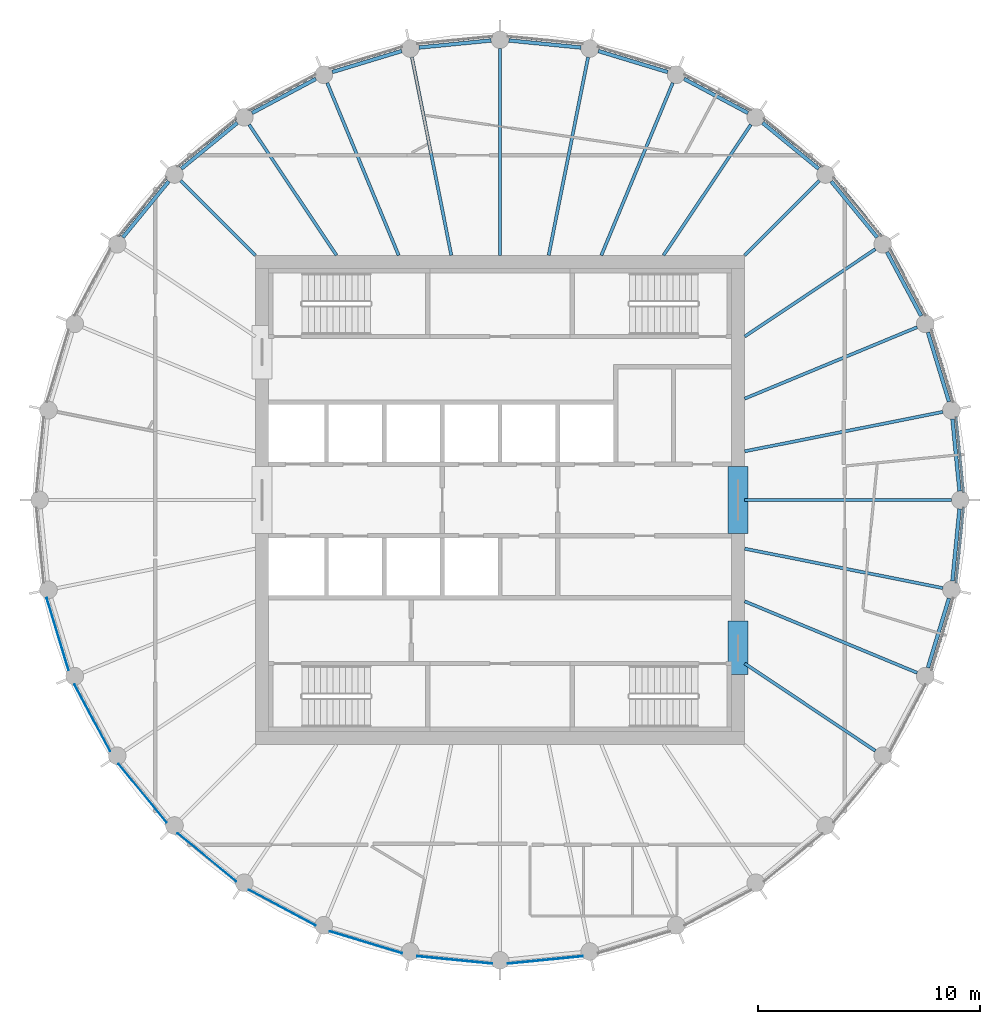
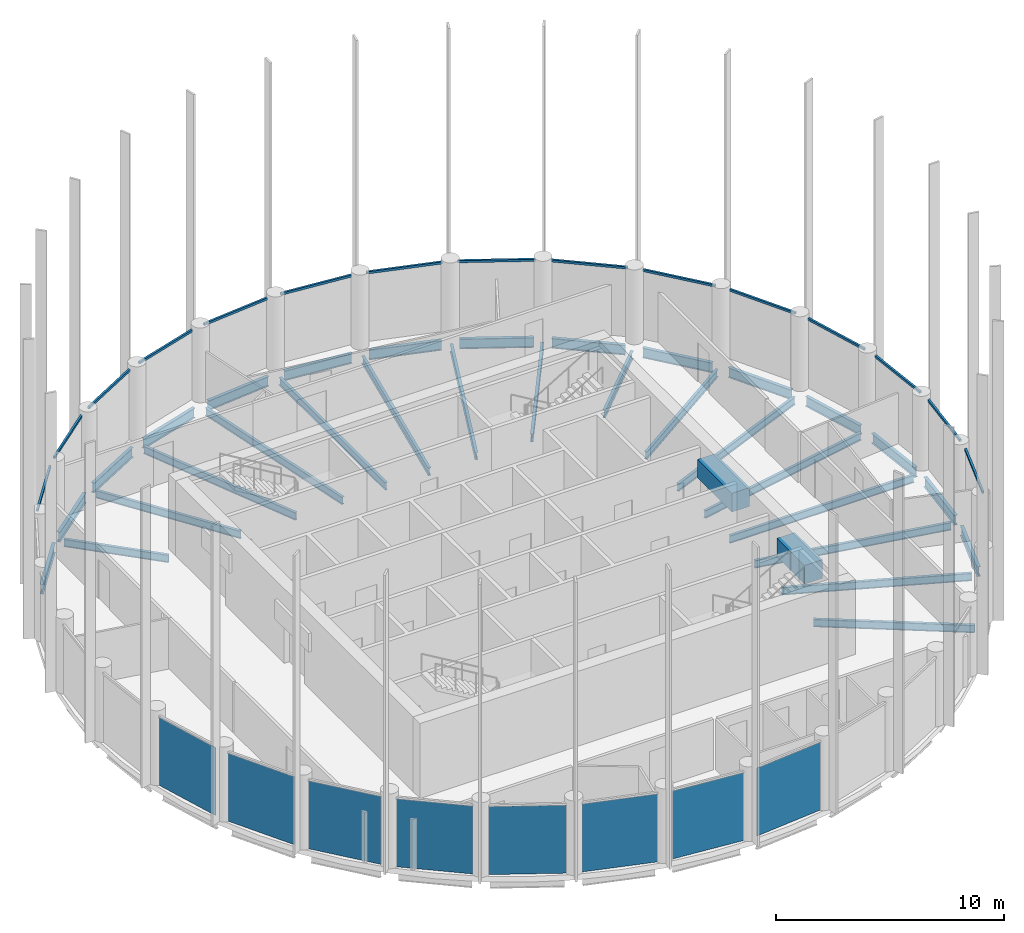
# One storey, part 2 of 7: 33 beams, 15 members, 8 plates, 23 elements without a shape of their own.
"""IFC4 building model written with IfcOpenShell, lengths in metres."""

from ifc_helpers import new_model, si_unit, direction, frame, origin, origin_2d, place, context, subcontext, project, spatial, rectangle, i_section, extrude, material, layer, layer_set, material_profile, profile_set, type_object, element, aggregate, save


model = new_model("IFC4")

# Units and contexts
model_context = context("Model", 3, precision=1e-05, world=origin(), true_north=direction((0.0, 1.0)))
body_context = subcontext(model_context, "Body", "Model", "MODEL_VIEW")
ifc_project = project(units=[si_unit("LENGTHUNIT", "METRE"), si_unit("AREAUNIT", "SQUARE_METRE"), si_unit("VOLUMEUNIT", "CUBIC_METRE"), si_unit("PLANEANGLEUNIT", "RADIAN"), si_unit("MASSUNIT", "GRAM", prefix="KILO")], contexts=[model_context])

# Site, building, storey
site_placement = place(None, origin())
site = spatial("IfcSite", under=ifc_project, at=site_placement, CompositionType="ELEMENT")
building_placement = place(site_placement, origin())
building = spatial("IfcBuilding", under=site, at=building_placement, Name="Corvane Civic Tower", CompositionType="ELEMENT")
storey_placement = place(building_placement, frame((0.0, 0.0, 340.5)))
storey = spatial("IfcBuildingStorey", under=building, at=storey_placement, Name="L81", CompositionType="ELEMENT", Elevation=340.5)

# Beams
ifc_material_1 = material(Name="Concrete C40/50", Category="concrete")
ifc_material_profile_1 = material_profile(ifc_material_1, rectangle(XDim=0.89990234375, YDim=1.0, at=origin_2d()), Name="COUPLING BEAM 900X1000")
ifc_profile_set_1 = profile_set([ifc_material_profile_1], Name="Concrete C40/50")
beam_type_1 = type_object("IfcBeamType", Name="COUPLING BEAM COUPLING BEAM 900X1000", PredefinedType="BEAM", material=ifc_profile_set_1)
beam_1_placement = place(storey_placement, frame((10.699951171875, -1.5, 2.60009765625), z_axis=(0.0, 1.0, 0.0), x_axis=(-1.0, 0.0, 0.0)))
element("IfcBeam", 1, at=beam_1_placement, inside=storey, type_object=beam_type_1, Name="BM-L81-cpl-CW-LE", PredefinedType="BEAM", context=body_context, shape_type="SweptSolid", body=[
    extrude(rectangle(XDim=0.89990234375, YDim=1.0, at=origin_2d()), origin(), (0.0, 0.0, 1.0), 3.0),
])
beam_2_placement = place(storey_placement, frame((10.699951171875, -7.85009765625, 2.60009765625), z_axis=(0.0, 1.0, 0.0), x_axis=(-1.0, 0.0, 0.0)))
element("IfcBeam", 2, at=beam_2_placement, inside=storey, type_object=beam_type_1, Name="BM-L81-cpl-CW-ES", PredefinedType="BEAM", context=body_context, shape_type="SweptSolid", body=[
    extrude(rectangle(XDim=0.89990234375, YDim=1.0, at=origin_2d()), origin(), (0.0, 0.0, 1.0), 2.400146484375),
])
ifc_material_2 = material(Name="Steel ASTM A992 Gr 50", Category="steel")
ifc_material_profile_2 = material_profile(ifc_material_2, i_section(OverallWidth=0.165771484375, OverallDepth=0.5283203125, WebThickness=0.009765625, FlangeThickness=0.013671875, at=origin_2d()), Name="W21X50")
ifc_profile_set_2 = profile_set([ifc_material_profile_2], Name="Steel ASTM A992 Gr 50")
beam_type_2 = type_object("IfcBeamType", Name="EDGE BEAM W21X50", PredefinedType="BEAM", material=ifc_profile_set_2)
beam_3_placement = place(storey_placement, frame((0.39794921875, 20.66064453125, -0.564208984375), z_axis=(0.995192503142, -0.097938152369, 0.0), x_axis=(0.097938152369, 0.995192503142, 0.0)))
element("IfcBeam", 3, at=beam_3_placement, inside=storey, type_object=beam_type_2, Name="BM-L81-E01", PredefinedType="BEAM", context=body_context, shape_type="SweptSolid", body=[
    extrude(i_section(OverallWidth=0.165771484375, OverallDepth=0.5283203125, WebThickness=0.009765625, FlangeThickness=0.013671875, at=origin_2d()), origin(), (0.0, 0.0, 1.0), 3.258056640625),
])
for number, where, z_axis, x_axis, name in (
    (4, (4.421142578125, 20.18603515625, -0.564208984375), (0.956955679349, -0.290234091317, 0.0), (0.290234091317, 0.956955679349, 0.0), "BM-L81-E02"),
    (5, (8.2744140625, 18.935791015625, -0.564208984375), (0.881894065907, -0.471447618, 0.0), (0.471447618, 0.881894065907, 0.0), "BM-L81-E03"),
    (6, (11.8095703125, 16.957763671875, -0.564208984375), (0.772984791903, -0.634424551454, 0.0), (0.634424551454, 0.772984791903, 0.0), "BM-L81-E04"),
    (7, (14.890869140625, 14.327880859375, -0.564208984375), (0.634424551454, -0.772984791903, 0.0), (0.772984791903, 0.634424551454, 0.0), "BM-L81-E05"),
    (8, (17.39990234375, 11.1474609375, -0.564208984375), (0.471447618, -0.881894065907, 0.0), (0.881894065907, 0.471447618, 0.0), "BM-L81-E06"),
    (9, (19.240478515625, 7.538818359375, -0.564208984375), (0.290234091317, -0.956955679349, 0.0), (0.956955679349, 0.290234091317, 0.0), "BM-L81-E07"),
):
    element("IfcBeam", number, at=place(storey_placement, frame(where, z_axis=z_axis, x_axis=x_axis)), inside=storey, type_object=beam_type_2, Name=name, PredefinedType="BEAM", context=body_context, shape_type="SweptSolid", body=[
        extrude(i_section(OverallWidth=0.165771484375, OverallDepth=0.5283203125, WebThickness=0.009765625, FlangeThickness=0.013671875, at=origin_2d()), origin(), (0.0, 0.0, 1.0), 3.2578125),
    ])
for number, where, z_axis, x_axis, name in (
    (10, (20.341552734375, 3.640380859375, -0.564208984375), (0.097938152369, -0.995192503142, 0.0), (0.995192503142, 0.097938152369, 0.0), "BM-L81-E08"),
    (11, (20.66064453125, -0.39794921875, -0.564208984375), (-0.097938152369, -0.995192503142, 0.0), (0.995192503142, -0.097938152369, 0.0), "BM-L81-E09"),
):
    element("IfcBeam", number, at=place(storey_placement, frame(where, z_axis=z_axis, x_axis=x_axis)), inside=storey, type_object=beam_type_2, Name=name, PredefinedType="BEAM", context=body_context, shape_type="SweptSolid", body=[
        extrude(i_section(OverallWidth=0.165771484375, OverallDepth=0.5283203125, WebThickness=0.009765625, FlangeThickness=0.013671875, at=origin_2d()), origin(), (0.0, 0.0, 1.0), 3.258056640625),
    ])
for number, where, z_axis, x_axis, name in (
    (12, (20.18603515625, -4.421142578125, -0.564208984375), (-0.290234091317, -0.956955679349, 0.0), (0.956955679349, -0.290234091317, 0.0), "BM-L81-E10"),
    (13, (-16.957763671875, 11.8095703125, -0.564208984375), (0.634424551454, 0.772984791903, 0.0), (-0.772984791903, 0.634424551454, 0.0), "BM-L81-E28"),
    (14, (-14.327880859375, 14.890869140625, -0.564208984375), (0.772984791903, 0.634424551454, 0.0), (-0.634424551454, 0.772984791903, 0.0), "BM-L81-E29"),
    (15, (-11.1474609375, 17.39990234375, -0.564208984375), (0.881894065907, 0.471447618, 0.0), (-0.471447618, 0.881894065907, 0.0), "BM-L81-E30"),
    (16, (-7.538818359375, 19.240478515625, -0.564208984375), (0.956955679349, 0.290234091317, 0.0), (-0.290234091317, 0.956955679349, 0.0), "BM-L81-E31"),
):
    element("IfcBeam", number, at=place(storey_placement, frame(where, z_axis=z_axis, x_axis=x_axis)), inside=storey, type_object=beam_type_2, Name=name, PredefinedType="BEAM", context=body_context, shape_type="SweptSolid", body=[
        extrude(i_section(OverallWidth=0.165771484375, OverallDepth=0.5283203125, WebThickness=0.009765625, FlangeThickness=0.013671875, at=origin_2d()), origin(), (0.0, 0.0, 1.0), 3.2578125),
    ])
beam_4_placement = place(storey_placement, frame((-3.640380859375, 20.341552734375, -0.564208984375), z_axis=(0.995192503142, 0.097938152369, 0.0), x_axis=(-0.097938152369, 0.995192503142, 0.0)))
element("IfcBeam", 17, at=beam_4_placement, inside=storey, type_object=beam_type_2, Name="BM-L81-E32", PredefinedType="BEAM", context=body_context, shape_type="SweptSolid", body=[
    extrude(i_section(OverallWidth=0.165771484375, OverallDepth=0.5283203125, WebThickness=0.009765625, FlangeThickness=0.013671875, at=origin_2d()), origin(), (0.0, 0.0, 1.0), 3.258056640625),
])
ifc_material_3 = material(Name="Steel ASTM A992 Gr 50", Category="steel")
ifc_material_profile_3 = material_profile(ifc_material_3, i_section(OverallWidth=0.140380859375, OverallDepth=0.40380859375, WebThickness=0.007080078125, FlangeThickness=0.01123046875, at=origin_2d()), Name="W16X31")
ifc_profile_set_3 = profile_set([ifc_material_profile_3], Name="Steel ASTM A992 Gr 50")
beam_type_3 = type_object("IfcBeamType", Name="FLOOR GIRDER W16X31", PredefinedType="BEAM", material=ifc_profile_set_3)
beam_5_placement = place(storey_placement, frame((0.0, 11.0, -0.501953125), z_axis=(0.0, 1.0, 0.0), x_axis=(-1.0, 0.0, 0.0)))
element("IfcBeam", 18, at=beam_5_placement, inside=storey, type_object=beam_type_3, Name="BM-L81-G01", PredefinedType="BEAM", context=body_context, shape_type="SweptSolid", body=[
    extrude(i_section(OverallWidth=0.140380859375, OverallDepth=0.40380859375, WebThickness=0.007080078125, FlangeThickness=0.01123046875, at=origin_2d()), origin(), (0.0, 0.0, 1.0), 9.300048828125),
])
beam_6_placement = place(storey_placement, frame((2.18798828125, 11.0, -0.501953125), z_axis=(0.195108241061, 0.980781715913, 0.0), x_axis=(-0.980781715913, 0.195108241061, 0.0)))
element("IfcBeam", 19, at=beam_6_placement, inside=storey, type_object=beam_type_3, Name="BM-L81-G02", PredefinedType="BEAM", context=body_context, shape_type="SweptSolid", body=[
    extrude(i_section(OverallWidth=0.140380859375, OverallDepth=0.40380859375, WebThickness=0.007080078125, FlangeThickness=0.01123046875, at=origin_2d()), origin(), (0.0, 0.0, 1.0), 9.08447265625),
])
beam_7_placement = place(storey_placement, frame((4.556396484375, 11.0, -0.501953125), z_axis=(0.382691739894, 0.923876091377, 0.0), x_axis=(-0.923876091377, 0.382691739894, 0.0)))
element("IfcBeam", 20, at=beam_7_placement, inside=storey, type_object=beam_type_3, Name="BM-L81-G03", PredefinedType="BEAM", context=body_context, shape_type="SweptSolid", body=[
    extrude(i_section(OverallWidth=0.140380859375, OverallDepth=0.40380859375, WebThickness=0.007080078125, FlangeThickness=0.01123046875, at=origin_2d()), origin(), (0.0, 0.0, 1.0), 8.3935546875),
])
beam_8_placement = place(storey_placement, frame((7.349853515625, 11.0, -0.501953125), z_axis=(0.555576401385, 0.831465490699, 0.0), x_axis=(-0.831465490699, 0.555576401385, 0.0)))
element("IfcBeam", 21, at=beam_8_placement, inside=storey, type_object=beam_type_3, Name="BM-L81-G04", PredefinedType="BEAM", context=body_context, shape_type="SweptSolid", body=[
    extrude(i_section(OverallWidth=0.140380859375, OverallDepth=0.40380859375, WebThickness=0.007080078125, FlangeThickness=0.01123046875, at=origin_2d()), origin(), (0.0, 0.0, 1.0), 7.070556640625),
])
beam_9_placement = place(storey_placement, frame((11.0, 11.0, -0.501953125), z_axis=(0.707106781187, 0.707106781187, 0.0), x_axis=(-0.707106781187, 0.707106781187, 0.0)))
element("IfcBeam", 22, at=beam_9_placement, inside=storey, type_object=beam_type_3, Name="BM-L81-G05", PredefinedType="BEAM", context=body_context, shape_type="SweptSolid", body=[
    extrude(i_section(OverallWidth=0.140380859375, OverallDepth=0.40380859375, WebThickness=0.007080078125, FlangeThickness=0.01123046875, at=origin_2d()), origin(), (0.0, 0.0, 1.0), 4.74365234375),
])
beam_10_placement = place(storey_placement, frame((11.0, 7.349853515625, -0.501953125), z_axis=(0.831465490699, 0.555576401385, 0.0), x_axis=(-0.555576401385, 0.831465490699, 0.0)))
element("IfcBeam", 23, at=beam_10_placement, inside=storey, type_object=beam_type_3, Name="BM-L81-G06", PredefinedType="BEAM", context=body_context, shape_type="SweptSolid", body=[
    extrude(i_section(OverallWidth=0.140380859375, OverallDepth=0.40380859375, WebThickness=0.007080078125, FlangeThickness=0.01123046875, at=origin_2d()), origin(), (0.0, 0.0, 1.0), 7.070556640625),
])
beam_11_placement = place(storey_placement, frame((11.0, 4.556396484375, -0.501953125), z_axis=(0.923876091377, 0.382691739894, 0.0), x_axis=(-0.382691739894, 0.923876091377, 0.0)))
element("IfcBeam", 24, at=beam_11_placement, inside=storey, type_object=beam_type_3, Name="BM-L81-G07", PredefinedType="BEAM", context=body_context, shape_type="SweptSolid", body=[
    extrude(i_section(OverallWidth=0.140380859375, OverallDepth=0.40380859375, WebThickness=0.007080078125, FlangeThickness=0.01123046875, at=origin_2d()), origin(), (0.0, 0.0, 1.0), 8.3935546875),
])
beam_12_placement = place(storey_placement, frame((11.0, 2.18798828125, -0.501953125), z_axis=(0.980781715913, 0.195108241061, 0.0), x_axis=(-0.195108241061, 0.980781715913, 0.0)))
element("IfcBeam", 25, at=beam_12_placement, inside=storey, type_object=beam_type_3, Name="BM-L81-G08", PredefinedType="BEAM", context=body_context, shape_type="SweptSolid", body=[
    extrude(i_section(OverallWidth=0.140380859375, OverallDepth=0.40380859375, WebThickness=0.007080078125, FlangeThickness=0.01123046875, at=origin_2d()), origin(), (0.0, 0.0, 1.0), 9.08447265625),
])
beam_13_placement = place(storey_placement, frame((11.0, 0.0, -0.501953125), z_axis=(1.0, 0.0, 0.0), x_axis=(0.0, 1.0, 0.0)))
element("IfcBeam", 26, at=beam_13_placement, inside=storey, type_object=beam_type_3, Name="BM-L81-G09", PredefinedType="BEAM", context=body_context, shape_type="SweptSolid", body=[
    extrude(i_section(OverallWidth=0.140380859375, OverallDepth=0.40380859375, WebThickness=0.007080078125, FlangeThickness=0.01123046875, at=origin_2d()), origin(), (0.0, 0.0, 1.0), 9.300048828125),
])
beam_14_placement = place(storey_placement, frame((11.0, -2.18798828125, -0.501953125), z_axis=(0.980781715913, -0.195108241061, 0.0), x_axis=(0.195108241061, 0.980781715913, 0.0)))
element("IfcBeam", 27, at=beam_14_placement, inside=storey, type_object=beam_type_3, Name="BM-L81-G10", PredefinedType="BEAM", context=body_context, shape_type="SweptSolid", body=[
    extrude(i_section(OverallWidth=0.140380859375, OverallDepth=0.40380859375, WebThickness=0.007080078125, FlangeThickness=0.01123046875, at=origin_2d()), origin(), (0.0, 0.0, 1.0), 9.08447265625),
])
beam_15_placement = place(storey_placement, frame((11.0, -4.556396484375, -0.501953125), z_axis=(0.923876091377, -0.382691739894, 0.0), x_axis=(0.382691739894, 0.923876091377, 0.0)))
element("IfcBeam", 28, at=beam_15_placement, inside=storey, type_object=beam_type_3, Name="BM-L81-G11", PredefinedType="BEAM", context=body_context, shape_type="SweptSolid", body=[
    extrude(i_section(OverallWidth=0.140380859375, OverallDepth=0.40380859375, WebThickness=0.007080078125, FlangeThickness=0.01123046875, at=origin_2d()), origin(), (0.0, 0.0, 1.0), 8.3935546875),
])
beam_16_placement = place(storey_placement, frame((11.0, -7.349853515625, -0.501953125), z_axis=(0.831465490699, -0.555576401385, 0.0), x_axis=(0.555576401385, 0.831465490699, 0.0)))
element("IfcBeam", 29, at=beam_16_placement, inside=storey, type_object=beam_type_3, Name="BM-L81-G12", PredefinedType="BEAM", context=body_context, shape_type="SweptSolid", body=[
    extrude(i_section(OverallWidth=0.140380859375, OverallDepth=0.40380859375, WebThickness=0.007080078125, FlangeThickness=0.01123046875, at=origin_2d()), origin(), (0.0, 0.0, 1.0), 7.070556640625),
])
beam_17_placement = place(storey_placement, frame((-11.0, 11.0, -0.501953125), z_axis=(-0.707106781187, 0.707106781187, 0.0), x_axis=(-0.707106781187, -0.707106781187, 0.0)))
element("IfcBeam", 30, at=beam_17_placement, inside=storey, type_object=beam_type_3, Name="BM-L81-G29", PredefinedType="BEAM", context=body_context, shape_type="SweptSolid", body=[
    extrude(i_section(OverallWidth=0.140380859375, OverallDepth=0.40380859375, WebThickness=0.007080078125, FlangeThickness=0.01123046875, at=origin_2d()), origin(), (0.0, 0.0, 1.0), 4.74365234375),
])
beam_18_placement = place(storey_placement, frame((-7.349853515625, 11.0, -0.501953125), z_axis=(-0.555576401385, 0.831465490699, 0.0), x_axis=(-0.831465490699, -0.555576401385, 0.0)))
element("IfcBeam", 31, at=beam_18_placement, inside=storey, type_object=beam_type_3, Name="BM-L81-G30", PredefinedType="BEAM", context=body_context, shape_type="SweptSolid", body=[
    extrude(i_section(OverallWidth=0.140380859375, OverallDepth=0.40380859375, WebThickness=0.007080078125, FlangeThickness=0.01123046875, at=origin_2d()), origin(), (0.0, 0.0, 1.0), 7.070556640625),
])
beam_19_placement = place(storey_placement, frame((-4.556396484375, 11.0, -0.501953125), z_axis=(-0.382691739894, 0.923876091377, 0.0), x_axis=(-0.923876091377, -0.382691739894, 0.0)))
element("IfcBeam", 32, at=beam_19_placement, inside=storey, type_object=beam_type_3, Name="BM-L81-G31", PredefinedType="BEAM", context=body_context, shape_type="SweptSolid", body=[
    extrude(i_section(OverallWidth=0.140380859375, OverallDepth=0.40380859375, WebThickness=0.007080078125, FlangeThickness=0.01123046875, at=origin_2d()), origin(), (0.0, 0.0, 1.0), 8.3935546875),
])
beam_20_placement = place(storey_placement, frame((-2.18798828125, 11.0, -0.501953125), z_axis=(-0.195108241061, 0.980781715913, 0.0), x_axis=(-0.980781715913, -0.195108241061, 0.0)))
element("IfcBeam", 33, at=beam_20_placement, inside=storey, type_object=beam_type_3, Name="BM-L81-G32", PredefinedType="BEAM", context=body_context, shape_type="SweptSolid", body=[
    extrude(i_section(OverallWidth=0.140380859375, OverallDepth=0.40380859375, WebThickness=0.007080078125, FlangeThickness=0.01123046875, at=origin_2d()), origin(), (0.0, 0.0, 1.0), 9.08447265625),
])

# Curtain wall, member
ifc_material_4 = material(Name="Anodised aluminium bronze", Category="aluminium")
curtain_wall_type = type_object("IfcCurtainWallType", Name="TOWER CW-T3 STICK CURTAIN WALL", PredefinedType="NOTDEFINED", material=ifc_material_4)
curtain_wall_1_placement = place(storey_placement, origin())
curtain_wall_1 = element("IfcCurtainWall", 34, at=curtain_wall_1_placement, inside=storey, type_object=curtain_wall_type, Name="Curtain wall CW-T3 L81 bay 01", PredefinedType="NOTDEFINED")
ifc_material_5 = material(Name="Anodised aluminium bronze", Category="aluminium")
ifc_material_profile_4 = material_profile(ifc_material_5, rectangle(XDim=0.10009765625, YDim=0.1201171875, at=origin_2d()), Name="TOWER CW-T3 TRANSOM 100x120")
ifc_profile_set_4 = profile_set([ifc_material_profile_4], Name="Anodised aluminium bronze")
member_type = type_object("IfcMemberType", Name="TOWER CW-T3 TRANSOM 100x120", PredefinedType="USERDEFINED", material=ifc_profile_set_4)
member_1_placement = place(storey_placement, frame((0.34375, 20.845947265625, 3.68994140625), z_axis=(0.995191564676, -0.097947688066, 0.0), x_axis=(0.097947688066, 0.995191564676, 0.0)))
member_1 = element("IfcMember", 35, at=member_1_placement, type_object=member_type, Name="Transom CW-T3 L81 01.1", ObjectType="TRANSOM", PredefinedType="USERDEFINED", context=body_context, shape_type="SweptSolid", body=[
    extrude(rectangle(XDim=0.10009765625, YDim=0.1201171875, at=origin_2d()), origin(), (0.0, 0.0, 1.0), 3.40234375),
])
aggregate(curtain_wall_1, [member_1])

curtain_wall_2_placement = place(storey_placement, origin())
curtain_wall_2 = element("IfcCurtainWall", 36, at=curtain_wall_2_placement, inside=storey, type_object=curtain_wall_type, Name="Curtain wall CW-T3 L81 bay 02", PredefinedType="NOTDEFINED")
member_2_placement = place(storey_placement, frame((4.40380859375, 20.37841796875, 3.68994140625), z_axis=(0.956961022204, -0.290216474345, 0.0), x_axis=(0.290216474345, 0.956961022204, 0.0)))
member_2 = element("IfcMember", 37, at=member_2_placement, type_object=member_type, Name="Transom CW-T3 L81 02.1", ObjectType="TRANSOM", PredefinedType="USERDEFINED", context=body_context, shape_type="SweptSolid", body=[
    extrude(rectangle(XDim=0.10009765625, YDim=0.1201171875, at=origin_2d()), origin(), (0.0, 0.0, 1.0), 3.40283203125),
])
aggregate(curtain_wall_2, [member_2])

curtain_wall_3_placement = place(storey_placement, origin())
curtain_wall_3 = element("IfcCurtainWall", 38, at=curtain_wall_3_placement, inside=storey, type_object=curtain_wall_type, Name="Curtain wall CW-T3 L81 bay 03", PredefinedType="NOTDEFINED")
member_3_placement = place(storey_placement, frame((8.294921875, 19.127685546875, 3.68994140625), z_axis=(0.881941440444, -0.471358988063, 0.0), x_axis=(0.471358988063, 0.881941440444, 0.0)))
member_3 = element("IfcMember", 39, at=member_3_placement, type_object=member_type, Name="Transom CW-T3 L81 03.1", ObjectType="TRANSOM", PredefinedType="USERDEFINED", context=body_context, shape_type="SweptSolid", body=[
    extrude(rectangle(XDim=0.10009765625, YDim=0.1201171875, at=origin_2d()), origin(), (0.0, 0.0, 1.0), 3.40234375),
])
aggregate(curtain_wall_3, [member_3])

curtain_wall_4_placement = place(storey_placement, origin())
curtain_wall_4 = element("IfcCurtainWall", 40, at=curtain_wall_4_placement, inside=storey, type_object=curtain_wall_type, Name="Curtain wall CW-T3 L81 bay 04", PredefinedType="NOTDEFINED")
member_4_placement = place(storey_placement, frame((11.8671875, 17.14208984375, 3.68994140625), z_axis=(0.773010217358, -0.634393571736, 0.0), x_axis=(0.634393571736, 0.773010217358, 0.0)))
member_4 = element("IfcMember", 41, at=member_4_placement, type_object=member_type, Name="Transom CW-T3 L81 04.1", ObjectType="TRANSOM", PredefinedType="USERDEFINED", context=body_context, shape_type="SweptSolid", body=[
    extrude(rectangle(XDim=0.10009765625, YDim=0.1201171875, at=origin_2d()), origin(), (0.0, 0.0, 1.0), 3.40283203125),
])
aggregate(curtain_wall_4, [member_4])

curtain_wall_5_placement = place(storey_placement, origin())
curtain_wall_5 = element("IfcCurtainWall", 42, at=curtain_wall_5_placement, inside=storey, type_object=curtain_wall_type, Name="Curtain wall CW-T3 L81 bay 05", PredefinedType="NOTDEFINED")
member_5_placement = place(storey_placement, frame((14.9833984375, 14.49755859375, 3.68994140625), z_axis=(0.634393571736, -0.773010217358, 0.0), x_axis=(0.773010217358, 0.634393571736, 0.0)))
member_5 = element("IfcMember", 43, at=member_5_placement, type_object=member_type, Name="Transom CW-T3 L81 05.1", ObjectType="TRANSOM", PredefinedType="USERDEFINED", context=body_context, shape_type="SweptSolid", body=[
    extrude(rectangle(XDim=0.10009765625, YDim=0.1201171875, at=origin_2d()), origin(), (0.0, 0.0, 1.0), 3.40283203125),
])
aggregate(curtain_wall_5, [member_5])

curtain_wall_6_placement = place(storey_placement, origin())
curtain_wall_6 = element("IfcCurtainWall", 44, at=curtain_wall_6_placement, inside=storey, type_object=curtain_wall_type, Name="Curtain wall CW-T3 L81 bay 06", PredefinedType="NOTDEFINED")
member_6_placement = place(storey_placement, frame((17.52392578125, 11.295654296875, 3.68994140625), z_axis=(0.471358988063, -0.881941440444, 0.0), x_axis=(0.881941440444, 0.471358988063, 0.0)))
member_6 = element("IfcMember", 45, at=member_6_placement, type_object=member_type, Name="Transom CW-T3 L81 06.1", ObjectType="TRANSOM", PredefinedType="USERDEFINED", context=body_context, shape_type="SweptSolid", body=[
    extrude(rectangle(XDim=0.10009765625, YDim=0.1201171875, at=origin_2d()), origin(), (0.0, 0.0, 1.0), 3.40234375),
])
aggregate(curtain_wall_6, [member_6])

curtain_wall_7_placement = place(storey_placement, origin())
curtain_wall_7 = element("IfcCurtainWall", 46, at=curtain_wall_7_placement, inside=storey, type_object=curtain_wall_type, Name="Curtain wall CW-T3 L81 bay 07", PredefinedType="NOTDEFINED")
member_7_placement = place(storey_placement, frame((19.390869140625, 7.66015625, 3.68994140625), z_axis=(0.290216474345, -0.956961022204, 0.0), x_axis=(0.956961022204, 0.290216474345, 0.0)))
member_7 = element("IfcMember", 47, at=member_7_placement, type_object=member_type, Name="Transom CW-T3 L81 07.1", ObjectType="TRANSOM", PredefinedType="USERDEFINED", context=body_context, shape_type="SweptSolid", body=[
    extrude(rectangle(XDim=0.10009765625, YDim=0.1201171875, at=origin_2d()), origin(), (0.0, 0.0, 1.0), 3.40283203125),
])
aggregate(curtain_wall_7, [member_7])

curtain_wall_8_placement = place(storey_placement, origin())
curtain_wall_8 = element("IfcCurtainWall", 48, at=curtain_wall_8_placement, inside=storey, type_object=curtain_wall_type, Name="Curtain wall CW-T3 L81 bay 08", PredefinedType="NOTDEFINED")
member_8_placement = place(storey_placement, frame((20.5126953125, 3.729736328125, 3.68994140625), z_axis=(0.097947688066, -0.995191564676, 0.0), x_axis=(0.995191564676, 0.097947688066, 0.0)))
member_8 = element("IfcMember", 49, at=member_8_placement, type_object=member_type, Name="Transom CW-T3 L81 08.1", ObjectType="TRANSOM", PredefinedType="USERDEFINED", context=body_context, shape_type="SweptSolid", body=[
    extrude(rectangle(XDim=0.10009765625, YDim=0.1201171875, at=origin_2d()), origin(), (0.0, 0.0, 1.0), 3.40234375),
])
aggregate(curtain_wall_8, [member_8])

curtain_wall_9_placement = place(storey_placement, origin())
curtain_wall_9 = element("IfcCurtainWall", 50, at=curtain_wall_9_placement, inside=storey, type_object=curtain_wall_type, Name="Curtain wall CW-T3 L81 bay 09", PredefinedType="NOTDEFINED")
member_9_placement = place(storey_placement, frame((20.845947265625, -0.34375, 3.68994140625), z_axis=(-0.097947688066, -0.995191564676, 0.0), x_axis=(0.995191564676, -0.097947688066, 0.0)))
member_9 = element("IfcMember", 51, at=member_9_placement, type_object=member_type, Name="Transom CW-T3 L81 09.1", ObjectType="TRANSOM", PredefinedType="USERDEFINED", context=body_context, shape_type="SweptSolid", body=[
    extrude(rectangle(XDim=0.10009765625, YDim=0.1201171875, at=origin_2d()), origin(), (0.0, 0.0, 1.0), 3.40234375),
])
aggregate(curtain_wall_9, [member_9])

curtain_wall_10_placement = place(storey_placement, origin())
curtain_wall_10 = element("IfcCurtainWall", 52, at=curtain_wall_10_placement, inside=storey, type_object=curtain_wall_type, Name="Curtain wall CW-T3 L81 bay 10", PredefinedType="NOTDEFINED")
member_10_placement = place(storey_placement, frame((20.37841796875, -4.40380859375, 3.68994140625), z_axis=(-0.290216474345, -0.956961022204, 0.0), x_axis=(0.956961022204, -0.290216474345, 0.0)))
member_10 = element("IfcMember", 53, at=member_10_placement, type_object=member_type, Name="Transom CW-T3 L81 10.1", ObjectType="TRANSOM", PredefinedType="USERDEFINED", context=body_context, shape_type="SweptSolid", body=[
    extrude(rectangle(XDim=0.10009765625, YDim=0.1201171875, at=origin_2d()), origin(), (0.0, 0.0, 1.0), 3.40283203125),
])
aggregate(curtain_wall_10, [member_10])

curtain_wall_11_placement = place(storey_placement, origin())
curtain_wall_11 = element("IfcCurtainWall", 54, at=curtain_wall_11_placement, inside=storey, type_object=curtain_wall_type, Name="Curtain wall CW-T3 L81 bay 28", PredefinedType="NOTDEFINED")
member_11_placement = place(storey_placement, frame((-17.14208984375, 11.8671875, 3.68994140625), z_axis=(0.634393571736, 0.773010217358, 0.0), x_axis=(-0.773010217358, 0.634393571736, 0.0)))
member_11 = element("IfcMember", 55, at=member_11_placement, type_object=member_type, Name="Transom CW-T3 L81 28.1", ObjectType="TRANSOM", PredefinedType="USERDEFINED", context=body_context, shape_type="SweptSolid", body=[
    extrude(rectangle(XDim=0.10009765625, YDim=0.1201171875, at=origin_2d()), origin(), (0.0, 0.0, 1.0), 3.40283203125),
])
aggregate(curtain_wall_11, [member_11])

curtain_wall_12_placement = place(storey_placement, origin())
curtain_wall_12 = element("IfcCurtainWall", 56, at=curtain_wall_12_placement, inside=storey, type_object=curtain_wall_type, Name="Curtain wall CW-T3 L81 bay 29", PredefinedType="NOTDEFINED")
member_12_placement = place(storey_placement, frame((-14.49755859375, 14.9833984375, 3.68994140625), z_axis=(0.773010217358, 0.634393571736, 0.0), x_axis=(-0.634393571736, 0.773010217358, 0.0)))
member_12 = element("IfcMember", 57, at=member_12_placement, type_object=member_type, Name="Transom CW-T3 L81 29.1", ObjectType="TRANSOM", PredefinedType="USERDEFINED", context=body_context, shape_type="SweptSolid", body=[
    extrude(rectangle(XDim=0.10009765625, YDim=0.1201171875, at=origin_2d()), origin(), (0.0, 0.0, 1.0), 3.40283203125),
])
aggregate(curtain_wall_12, [member_12])

curtain_wall_13_placement = place(storey_placement, origin())
curtain_wall_13 = element("IfcCurtainWall", 58, at=curtain_wall_13_placement, inside=storey, type_object=curtain_wall_type, Name="Curtain wall CW-T3 L81 bay 30", PredefinedType="NOTDEFINED")
member_13_placement = place(storey_placement, frame((-11.295654296875, 17.52392578125, 3.68994140625), z_axis=(0.881941440444, 0.471358988063, 0.0), x_axis=(-0.471358988063, 0.881941440444, 0.0)))
member_13 = element("IfcMember", 59, at=member_13_placement, type_object=member_type, Name="Transom CW-T3 L81 30.1", ObjectType="TRANSOM", PredefinedType="USERDEFINED", context=body_context, shape_type="SweptSolid", body=[
    extrude(rectangle(XDim=0.10009765625, YDim=0.1201171875, at=origin_2d()), origin(), (0.0, 0.0, 1.0), 3.40234375),
])
aggregate(curtain_wall_13, [member_13])

curtain_wall_14_placement = place(storey_placement, origin())
curtain_wall_14 = element("IfcCurtainWall", 60, at=curtain_wall_14_placement, inside=storey, type_object=curtain_wall_type, Name="Curtain wall CW-T3 L81 bay 31", PredefinedType="NOTDEFINED")
member_14_placement = place(storey_placement, frame((-7.66015625, 19.390869140625, 3.68994140625), z_axis=(0.956961022204, 0.290216474345, 0.0), x_axis=(-0.290216474345, 0.956961022204, 0.0)))
member_14 = element("IfcMember", 61, at=member_14_placement, type_object=member_type, Name="Transom CW-T3 L81 31.1", ObjectType="TRANSOM", PredefinedType="USERDEFINED", context=body_context, shape_type="SweptSolid", body=[
    extrude(rectangle(XDim=0.10009765625, YDim=0.1201171875, at=origin_2d()), origin(), (0.0, 0.0, 1.0), 3.40283203125),
])
aggregate(curtain_wall_14, [member_14])

curtain_wall_15_placement = place(storey_placement, origin())
curtain_wall_15 = element("IfcCurtainWall", 62, at=curtain_wall_15_placement, inside=storey, type_object=curtain_wall_type, Name="Curtain wall CW-T3 L81 bay 32", PredefinedType="NOTDEFINED")
member_15_placement = place(storey_placement, frame((-3.729736328125, 20.5126953125, 3.68994140625), z_axis=(0.995191564676, 0.097947688066, 0.0), x_axis=(-0.097947688066, 0.995191564676, 0.0)))
member_15 = element("IfcMember", 63, at=member_15_placement, type_object=member_type, Name="Transom CW-T3 L81 32.1", ObjectType="TRANSOM", PredefinedType="USERDEFINED", context=body_context, shape_type="SweptSolid", body=[
    extrude(rectangle(XDim=0.10009765625, YDim=0.1201171875, at=origin_2d()), origin(), (0.0, 0.0, 1.0), 3.40234375),
])
aggregate(curtain_wall_15, [member_15])

# Curtain wall, plate
curtain_wall_16_placement = place(storey_placement, origin())
curtain_wall_16 = element("IfcCurtainWall", 64, at=curtain_wall_16_placement, inside=storey, type_object=curtain_wall_type, Name="Curtain wall CW-T3 L81 bay 16", PredefinedType="NOTDEFINED")
ifc_material_6 = material(Name="Tinted glass", Category="glass")
ifc_layer = layer(ifc_material_6, 0.028076171875)
ifc_layer_set = layer_set([ifc_layer], Name="Tinted glass")
plate_type = type_object("IfcPlateType", Name="TOWER CW-T3 PANEL IGU28", PredefinedType="CURTAIN_PANEL", material=ifc_layer_set)
plate_1_placement = place(storey_placement, frame((2.03662109375, -20.679443359375, 0.0), z_axis=(0.0, 0.0, 1.0), x_axis=(-0.995186641028, -0.097997701601, 0.0)))
plate_1 = element("IfcPlate", 65, at=plate_1_placement, type_object=plate_type, Name="Glass panel CW-T3 L81 16.1", PredefinedType="CURTAIN_PANEL", context=body_context, shape_type="SweptSolid", body=[
    extrude(rectangle(XDim=3.402587890625, YDim=0.028076171875, at=origin_2d()), origin(), (0.0, 0.0, 1.0), 3.6298828125),
])
aggregate(curtain_wall_16, [plate_1])

curtain_wall_17_placement = place(storey_placement, origin())
curtain_wall_17 = element("IfcCurtainWall", 66, at=curtain_wall_17_placement, inside=storey, type_object=curtain_wall_type, Name="Curtain wall CW-T3 L81 bay 17", PredefinedType="NOTDEFINED")
plate_2_placement = place(storey_placement, frame((-2.03662109375, -20.679443359375, 0.0), z_axis=(0.0, 0.0, 1.0), x_axis=(-0.995186641028, 0.097997701601, 0.0)))
plate_2 = element("IfcPlate", 67, at=plate_2_placement, type_object=plate_type, Name="Glass panel CW-T3 L81 17.1", PredefinedType="CURTAIN_PANEL", context=body_context, shape_type="SweptSolid", body=[
    extrude(rectangle(XDim=3.402587890625, YDim=0.028076171875, at=origin_2d()), origin(), (0.0, 0.0, 1.0), 3.6298828125),
])
aggregate(curtain_wall_17, [plate_2])

curtain_wall_18_placement = place(storey_placement, origin())
curtain_wall_18 = element("IfcCurtainWall", 68, at=curtain_wall_18_placement, inside=storey, type_object=curtain_wall_type, Name="Curtain wall CW-T3 L81 bay 18", PredefinedType="NOTDEFINED")
plate_3_placement = place(storey_placement, frame((-6.031982421875, -19.884765625, 0.0), z_axis=(0.0, 0.0, 1.0), x_axis=(-0.956938582641, 0.290290456359, 0.0)))
plate_3 = element("IfcPlate", 69, at=plate_3_placement, type_object=plate_type, Name="Glass panel CW-T3 L81 18.1", PredefinedType="CURTAIN_PANEL", context=body_context, shape_type="SweptSolid", body=[
    extrude(rectangle(XDim=3.40283203125, YDim=0.028076171875, at=origin_2d()), origin(), (0.0, 0.0, 1.0), 3.6298828125),
])
aggregate(curtain_wall_18, [plate_3])

curtain_wall_19_placement = place(storey_placement, origin())
curtain_wall_19 = element("IfcCurtainWall", 70, at=curtain_wall_19_placement, inside=storey, type_object=curtain_wall_type, Name="Curtain wall CW-T3 L81 bay 19", PredefinedType="NOTDEFINED")
plate_4_placement = place(storey_placement, frame((-9.79541015625, -18.325927734375, 0.0), z_axis=(0.0, 0.0, 1.0), x_axis=(-0.88192824848, 0.471383670202, 0.0)))
plate_4 = element("IfcPlate", 71, at=plate_4_placement, type_object=plate_type, Name="Glass panel CW-T3 L81 19.1", PredefinedType="CURTAIN_PANEL", context=body_context, shape_type="SweptSolid", body=[
    extrude(rectangle(XDim=3.40234375, YDim=0.028076171875, at=origin_2d()), origin(), (0.0, 0.0, 1.0), 3.6298828125),
])
aggregate(curtain_wall_19, [plate_4])

curtain_wall_20_placement = place(storey_placement, origin())
curtain_wall_20 = element("IfcCurtainWall", 72, at=curtain_wall_20_placement, inside=storey, type_object=curtain_wall_type, Name="Curtain wall CW-T3 L81 bay 20", PredefinedType="NOTDEFINED")
plate_5_placement = place(storey_placement, frame((-13.182373046875, -16.062744140625, 0.0), z_axis=(0.0, 0.0, 1.0), x_axis=(-0.773010369391, 0.634393386484, 0.0)))
plate_5 = element("IfcPlate", 73, at=plate_5_placement, type_object=plate_type, Name="Glass panel CW-T3 L81 20.1", PredefinedType="CURTAIN_PANEL", context=body_context, shape_type="SweptSolid", body=[
    extrude(rectangle(XDim=3.402587890625, YDim=0.028076171875, at=origin_2d()), origin(), (0.0, 0.0, 1.0), 3.6298828125),
])
aggregate(curtain_wall_20, [plate_5])

curtain_wall_21_placement = place(storey_placement, origin())
curtain_wall_21 = element("IfcCurtainWall", 74, at=curtain_wall_21_placement, inside=storey, type_object=curtain_wall_type, Name="Curtain wall CW-T3 L81 bay 21", PredefinedType="NOTDEFINED")
plate_6_placement = place(storey_placement, frame((-16.062744140625, -13.182373046875, 0.0), z_axis=(0.0, 0.0, 1.0), x_axis=(-0.634393386484, 0.773010369391, 0.0)))
plate_6 = element("IfcPlate", 75, at=plate_6_placement, type_object=plate_type, Name="Glass panel CW-T3 L81 21.1", PredefinedType="CURTAIN_PANEL", context=body_context, shape_type="SweptSolid", body=[
    extrude(rectangle(XDim=3.402587890625, YDim=0.028076171875, at=origin_2d()), origin(), (0.0, 0.0, 1.0), 3.6298828125),
])
aggregate(curtain_wall_21, [plate_6])

curtain_wall_22_placement = place(storey_placement, origin())
curtain_wall_22 = element("IfcCurtainWall", 76, at=curtain_wall_22_placement, inside=storey, type_object=curtain_wall_type, Name="Curtain wall CW-T3 L81 bay 22", PredefinedType="NOTDEFINED")
plate_7_placement = place(storey_placement, frame((-18.325927734375, -9.79541015625, 0.0), z_axis=(0.0, 0.0, 1.0), x_axis=(-0.471383670202, 0.88192824848, 0.0)))
plate_7 = element("IfcPlate", 77, at=plate_7_placement, type_object=plate_type, Name="Glass panel CW-T3 L81 22.1", PredefinedType="CURTAIN_PANEL", context=body_context, shape_type="SweptSolid", body=[
    extrude(rectangle(XDim=3.40234375, YDim=0.028076171875, at=origin_2d()), origin(), (0.0, 0.0, 1.0), 3.6298828125),
])
aggregate(curtain_wall_22, [plate_7])

curtain_wall_23_placement = place(storey_placement, origin())
curtain_wall_23 = element("IfcCurtainWall", 78, at=curtain_wall_23_placement, inside=storey, type_object=curtain_wall_type, Name="Curtain wall CW-T3 L81 bay 23", PredefinedType="NOTDEFINED")
plate_8_placement = place(storey_placement, frame((-19.884765625, -6.031982421875, 0.0), z_axis=(0.0, 0.0, 1.0), x_axis=(-0.290290456359, 0.956938582641, 0.0)))
plate_8 = element("IfcPlate", 79, at=plate_8_placement, type_object=plate_type, Name="Glass panel CW-T3 L81 23.1", PredefinedType="CURTAIN_PANEL", context=body_context, shape_type="SweptSolid", body=[
    extrude(rectangle(XDim=3.40283203125, YDim=0.028076171875, at=origin_2d()), origin(), (0.0, 0.0, 1.0), 3.6298828125),
])
aggregate(curtain_wall_23, [plate_8])

save(model, "model.ifc")
